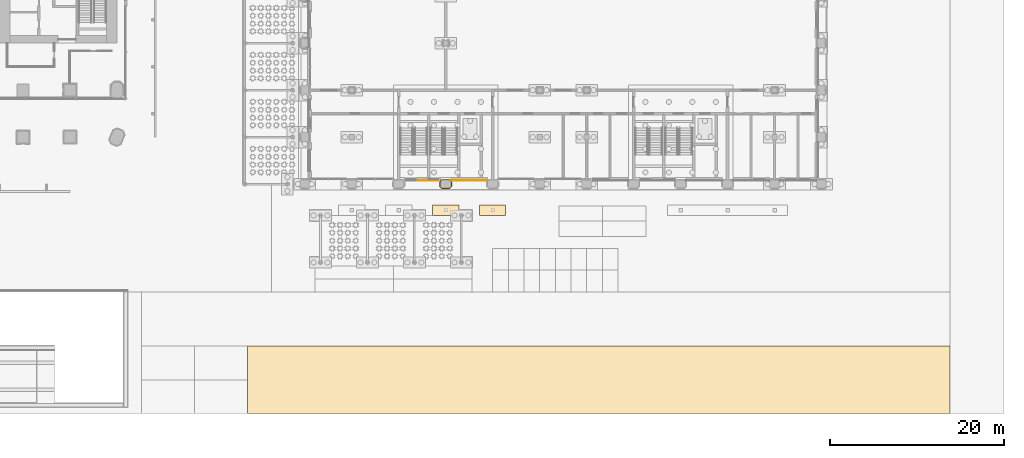
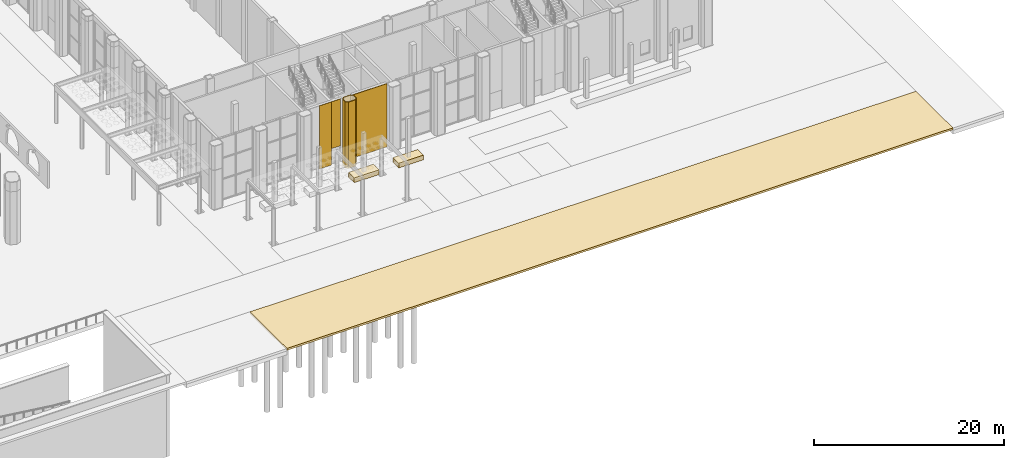
# One storey, part 46 of 54: 7 coverings.
"""IFC4 building model written with IfcOpenShell, lengths in metres."""

from ifc_helpers import new_model, si_unit, direction, frame, frame_2d, origin, origin_2d, place, context, subcontext, project, spatial, polyline, rectangle, outline, extrude, material, layer, layer_set, type_object, element, save


model = new_model("IFC4")

# Units and contexts
model_context = context("Model", 3, precision=1e-05, world=origin(), true_north=direction((0.0, 1.0)))
body_context = subcontext(model_context, "Body", "Model", "MODEL_VIEW")
ifc_project = project(units=[si_unit("LENGTHUNIT", "METRE"), si_unit("AREAUNIT", "SQUARE_METRE"), si_unit("VOLUMEUNIT", "CUBIC_METRE"), si_unit("PLANEANGLEUNIT", "RADIAN"), si_unit("MASSUNIT", "GRAM", prefix="KILO")], contexts=[model_context])

# Site, building, storey
site_placement = place(None, origin())
site = spatial("IfcSite", under=ifc_project, at=site_placement, CompositionType="ELEMENT")
building_placement = place(site_placement, origin())
building = spatial("IfcBuilding", under=site, at=building_placement, Name="Tabaq Tower and Sports Hall", CompositionType="ELEMENT")
storey_placement = place(building_placement, origin())
storey = spatial("IfcBuildingStorey", under=building, at=storey_placement, Name="L00", CompositionType="ELEMENT", Elevation=0.0)

# Coverings
ifc_material_1 = material(Name="Precast concrete C60/75", Category="concrete")
ifc_layer_1 = layer(ifc_material_1, 0.10009765625)
ifc_layer_set_1 = layer_set([ifc_layer_1], Name="Column cladding 100")
covering_type_1 = type_object("IfcCoveringType", Name="Column cladding 100", PredefinedType="CLADDING", material=ifc_layer_set_1)
covering_1_placement = place(storey_placement, frame((0.0, 0.0, -0.39990234375)))
element("IfcCovering", 1, at=covering_1_placement, inside=storey, type_object=covering_type_1, Name="Column cladding L00 HC-16A", PredefinedType="CLADDING", context=body_context, shape_type="SweptSolid", body=[
    extrude(outline(polyline([(80.30029296875, -0.291259765625), (80.30029296875, 0.291259765625), (80.55859375, 0.5498046875), (81.44140625, 0.5498046875), (81.69970703125, 0.291259765625), (81.69970703125, -0.291259765625), (81.44140625, -0.5498046875), (80.55859375, -0.5498046875), (80.30029296875, -0.291259765625)]), holes=[polyline([(81.400146484375, -0.4501953125), (81.600341796875, -0.250244140625), (81.600341796875, 0.250244140625), (81.400146484375, 0.4501953125), (80.599853515625, 0.4501953125), (80.399658203125, 0.250244140625), (80.399658203125, -0.250244140625), (80.599853515625, -0.4501953125), (81.400146484375, -0.4501953125)])]), origin(), (0.0, 0.0, 1.0), 8.5),
])
ifc_material_2 = material(Name="Planting soil topping on compacted limestone fill", Category="masonry")
ifc_layer_2 = layer(ifc_material_2, 0.25)
ifc_layer_set_2 = layer_set([ifc_layer_2], Name="PLANTED VERGE BED 250")
covering_type_2 = type_object("IfcCoveringType", Name="PLANTED VERGE BED 250", PredefinedType="USERDEFINED", material=ifc_layer_set_2)
covering_2_placement = place(storey_placement, frame((0.0, 0.0, -0.25)))
element("IfcCovering", 2, at=covering_2_placement, inside=storey, type_object=covering_type_2, Name="Planted verge", ObjectType="PLANTING BED", PredefinedType="USERDEFINED", context=body_context, shape_type="SweptSolid", body=[
    extrude(outline(polyline([(58.199951171875, -18.60009765625), (58.199951171875, -26.35009765625), (139.0, -26.35009765625), (139.0, -18.60009765625), (58.199951171875, -18.60009765625)])), origin(), (0.0, 0.0, 1.0), 0.25),
])
ifc_material_3 = material(Name="Precast concrete C35/45 planter with planting soil", Category="concrete")
covering_type_3 = type_object("IfcCoveringType", Name="PLAZA PLANTER 3000x1200x600", PredefinedType="USERDEFINED", material=ifc_material_3)
for number, where, z_axis, x_axis, name in (
    (3, (81.0, -3.0, 0.0), (0.0, 0.0, 1.0), (1.0, 0.0, 0.0), "Planter 03"),
    (4, (86.39990234375, -3.0, 0.0), (0.0, 0.0, 1.0), (1.0, 0.0, 0.0), "Planter 04"),
):
    element("IfcCovering", number, at=place(storey_placement, frame(where, z_axis=z_axis, x_axis=x_axis)), inside=storey, type_object=covering_type_3, Name=name, ObjectType="PLANTER", PredefinedType="USERDEFINED", context=body_context, shape_type="SweptSolid", body=[
        extrude(rectangle(XDim=3.0, YDim=1.199951171875, at=origin_2d()), origin(), (0.0, 0.0, 1.0), 0.60009765625),
    ])
ifc_material_4 = material(Name="Precast concrete C60/75", Category="concrete")
ifc_layer_3 = layer(ifc_material_4, 0.06005859375)
ifc_layer_set_3 = layer_set([ifc_layer_3], Name="White precast cladding panel 60 C60/75")
covering_type_4 = type_object("IfcCoveringType", Name="White precast cladding panel 60 C60/75", PredefinedType="CLADDING", material=ifc_layer_set_3)
covering_3_placement = place(storey_placement, frame((77.56005859375, 0.419921875, 0.0), z_axis=(0.0, 0.0, 1.0), x_axis=(1.0, 0.0, 0.0)))
element("IfcCovering", 5, at=covering_3_placement, inside=storey, type_object=covering_type_4, Name="White precast cladding panel L00 L00 2", PredefinedType="CLADDING", context=body_context, shape_type="SweptSolid", body=[
    extrude(rectangle(XDim=1.47998046875, YDim=0.06005859375, at=frame_2d((0.739990234375, 0.0))), origin(), (0.0, 0.0, 1.0), 8.10009765625),
])
covering_4_placement = place(storey_placement, frame((79.0400390625, 0.419921875, 2.110107421875), z_axis=(0.0, 0.0, 1.0), x_axis=(1.0, 0.0, 0.0)))
element("IfcCovering", 6, at=covering_4_placement, inside=storey, type_object=covering_type_4, Name="White precast cladding panel L00 L00 3", PredefinedType="CLADDING", context=body_context, shape_type="SweptSolid", body=[
    extrude(rectangle(XDim=1.119873046875, YDim=0.06005859375, at=frame_2d((0.56005859375, 0.0))), origin(), (0.0, 0.0, 1.0), 5.989990234375),
])
covering_5_placement = place(storey_placement, frame((81.60009765625, 0.419921875, 0.0), z_axis=(0.0, 0.0, 1.0), x_axis=(1.0, 0.0, 0.0)))
element("IfcCovering", 7, at=covering_5_placement, inside=storey, type_object=covering_type_4, Name="White precast cladding panel L00 L00", PredefinedType="CLADDING", context=body_context, shape_type="SweptSolid", body=[
    extrude(rectangle(XDim=4.199951171875, YDim=0.06005859375, at=frame_2d((2.10009765625, 0.0))), origin(), (0.0, 0.0, 1.0), 8.10009765625),
])

save(model, "model.ifc")
